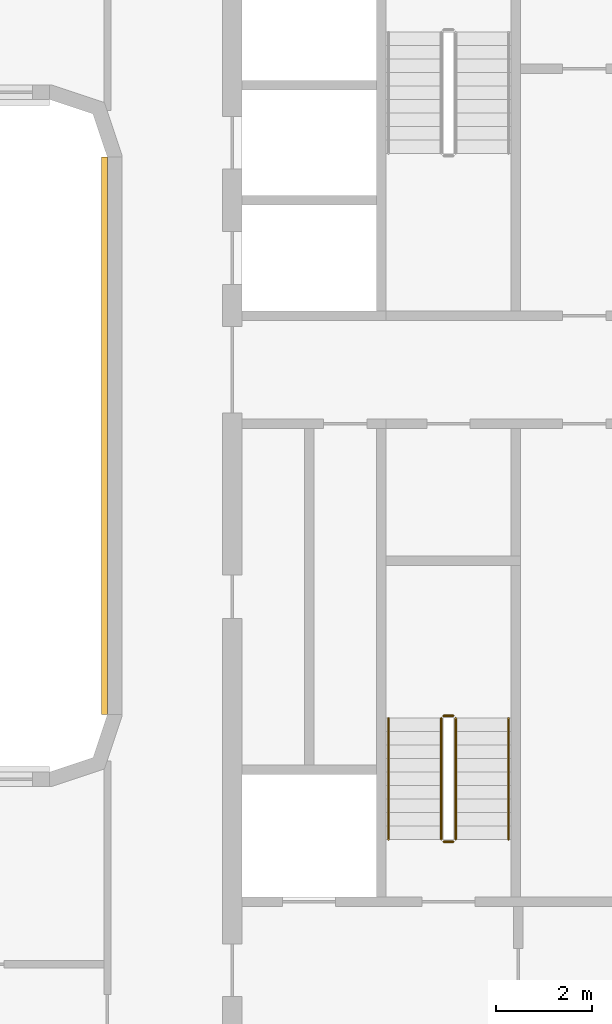
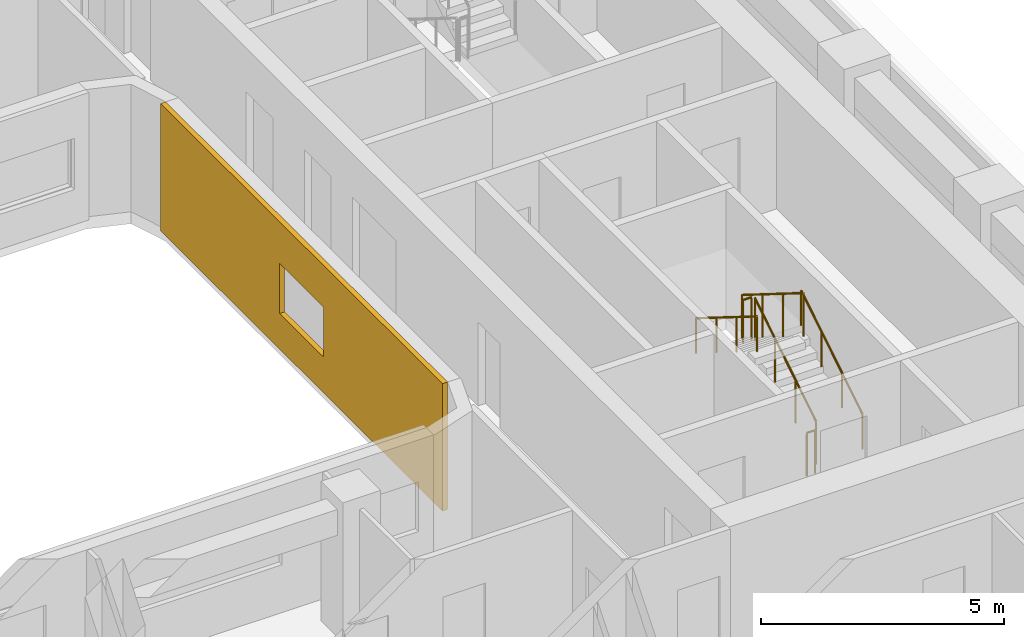
# One storey, part 17 of 22: 6 railings, 1 covering.
"""IFC4 building model written with IfcOpenShell, lengths in metres."""

from ifc_helpers import new_model, si_unit, direction, frame, origin, origin_2d, place, context, subcontext, project, spatial, polyline, circle, outline, extrude, material, layer, layer_set, type_object, element, save


model = new_model("IFC4")

# Units and contexts
model_context = context("Model", 3, precision=1e-05, world=origin(), true_north=direction((0.0, 1.0)))
body_context = subcontext(model_context, "Body", "Model", "MODEL_VIEW")
ifc_project = project(units=[si_unit("LENGTHUNIT", "METRE"), si_unit("AREAUNIT", "SQUARE_METRE"), si_unit("VOLUMEUNIT", "CUBIC_METRE"), si_unit("PLANEANGLEUNIT", "RADIAN"), si_unit("MASSUNIT", "GRAM", prefix="KILO")], contexts=[model_context])

# Site, building, storey
site_placement = place(None, origin())
site = spatial("IfcSite", under=ifc_project, at=site_placement, CompositionType="ELEMENT")
building_placement = place(site_placement, origin())
building = spatial("IfcBuilding", under=site, at=building_placement, Name="Kiln Ring Residences", CompositionType="ELEMENT")
storey_placement = place(building_placement, frame((0.0, 0.0, 139.60009765625)))
storey = spatial("IfcBuildingStorey", under=building, at=storey_placement, Name="L35", CompositionType="ELEMENT", Elevation=139.60009765625)

# Railings
ifc_material_1 = material(Name="Stainless steel", Category="steel")
railing_type_1 = type_object("IfcRailingType", Name="CORE-STAIR-GUARD", PredefinedType="GUARDRAIL", material=ifc_material_1)
railing_1_placement = place(storey_placement, frame((22.25, -8.39990234375, 0.1748046875)))
element("IfcRailing", 1, at=railing_1_placement, inside=storey, type_object=railing_type_1, Name="L35 E-STS stair guard 1", PredefinedType="GUARDRAIL", context=body_context, shape_type="SweptSolid", body=[
    extrude(circle(Radius=0.02392578125, at=origin_2d()), frame((0.0, 0.0, 1.076171875), z_axis=(0.0, 0.847970611238, 0.530043245855), x_axis=(-1.0, 0.0, 0.0)), (0.0, 0.0, 1.0), 2.971923828125),
    extrude(circle(Radius=0.02099609375, at=origin_2d()), origin(), (0.0, 0.0, 1.0), 1.052001953125),
    extrude(circle(Radius=0.02099609375, at=origin_2d()), frame((0.0, 0.840087890625, 0.525146484375)), (0.0, 0.0, 1.0), 1.052001953125),
    extrude(circle(Radius=0.02099609375, at=origin_2d()), frame((0.0, 1.679931640625, 1.050048828125)), (0.0, 0.0, 1.0), 1.052001953125),
    extrude(circle(Radius=0.02099609375, at=origin_2d()), frame((0.0, 2.52001953125, 1.5751953125)), (0.0, 0.0, 1.0), 1.052001953125),
])
railing_2_placement = place(storey_placement, frame((22.199951171875, -5.830078125, 1.75)))
element("IfcRailing", 2, at=railing_2_placement, inside=storey, type_object=railing_type_1, Name="L35 E-STS stair guard 2", PredefinedType="GUARDRAIL", context=body_context, shape_type="SweptSolid", body=[
    extrude(circle(Radius=0.02392578125, at=origin_2d()), frame((0.0, 0.0, 1.076171875), z_axis=(-1.0, 0.0, 0.0), x_axis=(0.0, -1.0, 0.0)), (0.0, 0.0, 1.0), 0.199951171875),
    extrude(circle(Radius=0.02099609375, at=origin_2d()), origin(), (0.0, 0.0, 1.0), 1.052001953125),
    extrude(circle(Radius=0.02099609375, at=origin_2d()), frame((-0.199951171875, 0.0, 0.0)), (0.0, 0.0, 1.0), 1.052001953125),
])
railing_3_placement = place(storey_placement, frame((21.949951171875, -5.8798828125, 1.9248046875)))
element("IfcRailing", 3, at=railing_3_placement, inside=storey, type_object=railing_type_1, Name="L35 E-STS stair guard 3", PredefinedType="GUARDRAIL", context=body_context, shape_type="SweptSolid", body=[
    extrude(circle(Radius=0.02392578125, at=origin_2d()), frame((0.0, 0.0, 1.076171875), z_axis=(0.0, -0.847970611238, 0.530043245855), x_axis=(1.0, 0.0, 0.0)), (0.0, 0.0, 1.0), 2.971923828125),
    extrude(circle(Radius=0.02099609375, at=origin_2d()), origin(), (0.0, 0.0, 1.0), 1.052001953125),
    extrude(circle(Radius=0.02099609375, at=origin_2d()), frame((0.0, -0.840087890625, 0.525146484375)), (0.0, 0.0, 1.0), 1.052001953125),
    extrude(circle(Radius=0.02099609375, at=origin_2d()), frame((0.0, -1.679931640625, 1.050048828125)), (0.0, 0.0, 1.0), 1.052001953125),
    extrude(circle(Radius=0.02099609375, at=origin_2d()), frame((0.0, -2.52001953125, 1.5751953125)), (0.0, 0.0, 1.0), 1.052001953125),
])
railing_4_placement = place(storey_placement, frame((22.199951171875, -8.449951171875, 0.0)))
element("IfcRailing", 4, at=railing_4_placement, inside=storey, type_object=railing_type_1, Name="L35 E-STS stair guard 4", PredefinedType="GUARDRAIL", context=body_context, shape_type="SweptSolid", body=[
    extrude(circle(Radius=0.02392578125, at=origin_2d()), frame((0.0, 0.0, 1.076171875), z_axis=(-1.0, 0.0, 0.0), x_axis=(0.0, -1.0, 0.0)), (0.0, 0.0, 1.0), 0.199951171875),
    extrude(circle(Radius=0.02099609375, at=origin_2d()), origin(), (0.0, 0.0, 1.0), 1.052001953125),
    extrude(circle(Radius=0.02099609375, at=origin_2d()), frame((-0.199951171875, 0.0, 0.0)), (0.0, 0.0, 1.0), 1.052001953125),
])
ifc_material_2 = material(Name="Stainless steel", Category="steel")
railing_type_2 = type_object("IfcRailingType", Name="CORE-STAIR-HANDRAIL", PredefinedType="HANDRAIL", material=ifc_material_2)
railing_5_placement = place(storey_placement, frame((23.35009765625, -8.39990234375, 0.1748046875)))
element("IfcRailing", 5, at=railing_5_placement, inside=storey, type_object=railing_type_2, Name="L35 E-STS stair handrail 1", PredefinedType="HANDRAIL", context=body_context, shape_type="SweptSolid", body=[
    extrude(circle(Radius=0.02392578125, at=origin_2d()), frame((0.0, 0.0, 0.8759765625), z_axis=(0.0, 0.847970611238, 0.530043245855), x_axis=(-1.0, 0.0, 0.0)), (0.0, 0.0, 1.0), 2.971923828125),
    extrude(circle(Radius=0.02099609375, at=origin_2d()), origin(), (0.0, 0.0, 1.0), 0.851806640625),
    extrude(circle(Radius=0.02099609375, at=origin_2d()), frame((0.0, 0.840087890625, 0.525146484375)), (0.0, 0.0, 1.0), 0.851806640625),
    extrude(circle(Radius=0.02099609375, at=origin_2d()), frame((0.0, 1.679931640625, 1.050048828125)), (0.0, 0.0, 1.0), 0.851806640625),
    extrude(circle(Radius=0.02099609375, at=origin_2d()), frame((0.0, 2.52001953125, 1.5751953125)), (0.0, 0.0, 1.0), 0.851806640625),
])
railing_6_placement = place(storey_placement, frame((20.85009765625, -5.8798828125, 1.9248046875)))
element("IfcRailing", 6, at=railing_6_placement, inside=storey, type_object=railing_type_2, Name="L35 E-STS stair handrail 2", PredefinedType="HANDRAIL", context=body_context, shape_type="SweptSolid", body=[
    extrude(circle(Radius=0.02392578125, at=origin_2d()), frame((0.0, 0.0, 0.8759765625), z_axis=(0.0, -0.847970611238, 0.530043245855), x_axis=(1.0, 0.0, 0.0)), (0.0, 0.0, 1.0), 2.971923828125),
    extrude(circle(Radius=0.02099609375, at=origin_2d()), origin(), (0.0, 0.0, 1.0), 0.851806640625),
    extrude(circle(Radius=0.02099609375, at=origin_2d()), frame((0.0, -0.840087890625, 0.525146484375)), (0.0, 0.0, 1.0), 0.851806640625),
    extrude(circle(Radius=0.02099609375, at=origin_2d()), frame((0.0, -1.679931640625, 1.050048828125)), (0.0, 0.0, 1.0), 0.851806640625),
    extrude(circle(Radius=0.02099609375, at=origin_2d()), frame((0.0, -2.52001953125, 1.5751953125)), (0.0, 0.0, 1.0), 0.851806640625),
])

# Covering
ifc_material_3 = material(Name="Brick masonry, dark clay brick", Category="masonry")
ifc_layer = layer(ifc_material_3, 0.1201171875)
ifc_layer_set = layer_set([ifc_layer], Name="RAINSCREEN PANEL 120")
covering_type = type_object("IfcCoveringType", Name="RAINSCREEN PANEL 120", PredefinedType="CLADDING", material=ifc_layer_set)
covering_placement = place(storey_placement, frame((14.93994140625, 5.800048828125, 0.0), z_axis=(0.0, 0.0, 1.0), x_axis=(0.0, -1.0, 0.0)))
element("IfcCovering", 7, at=covering_placement, inside=storey, type_object=covering_type, Name="RAINSCREEN L35", PredefinedType="CLADDING", context=body_context, shape_type="SweptSolid", body=[
    extrude(outline(polyline([(0.0, 0.0), (11.60009765625, 0.0), (11.60009765625, 3.199951171875), (0.0, 3.199951171875), (0.0, 0.0)]), holes=[polyline([(4.89990234375, 2.14990234375), (4.89990234375, 0.89990234375), (6.699951171875, 0.89990234375), (6.699951171875, 2.14990234375), (4.89990234375, 2.14990234375)])]), frame((0.0, 0.06005859375, 0.0), z_axis=(0.0, -1.0, 0.0), x_axis=(1.0, 0.0, 0.0)), (0.0, 0.0, 1.0), 0.1201171875),
])

save(model, "model.ifc")
